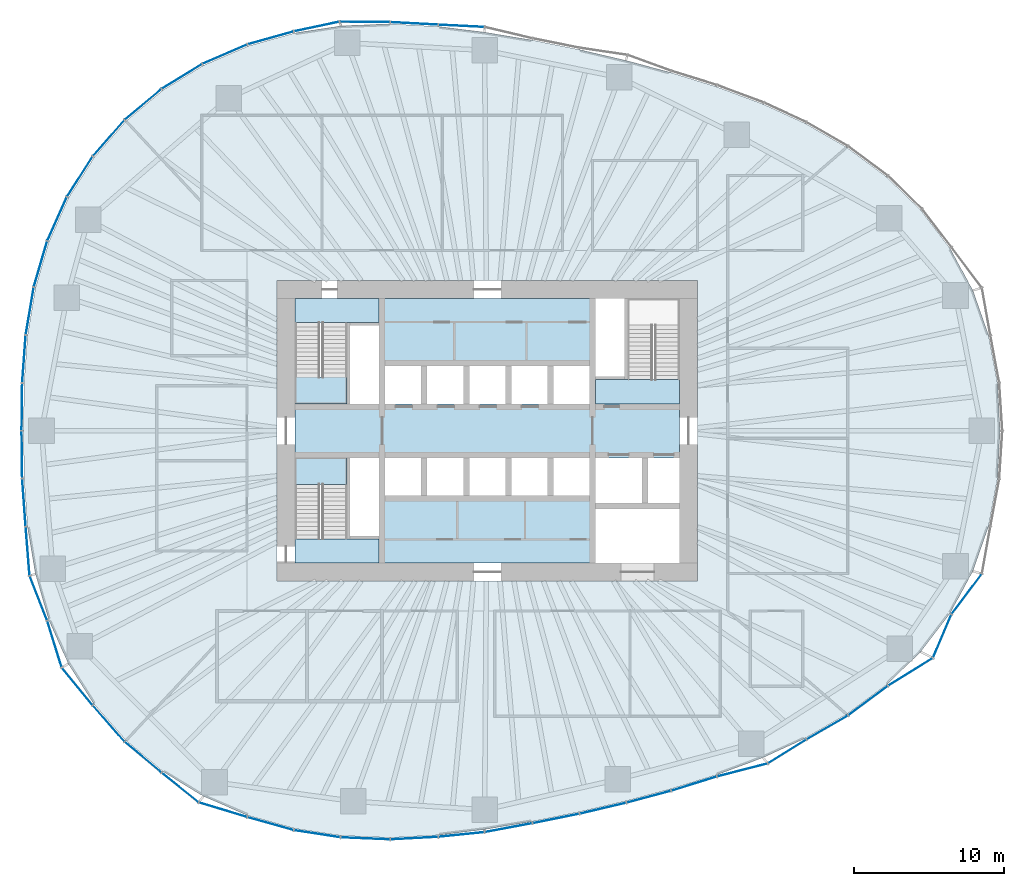
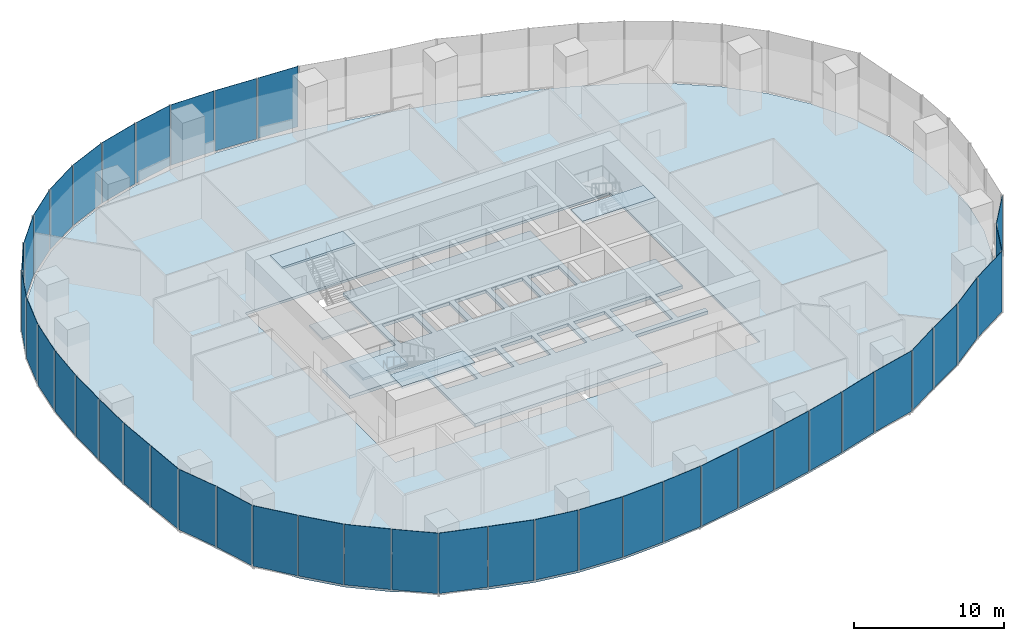
# One storey, part 8 of 20: 42 plates, 7 slabs, 17 elements without a shape of their own.
"""IFC4 building model written with IfcOpenShell, lengths in metres."""

from ifc_helpers import new_model, si_unit, direction, frame, origin, origin_2d, place, context, subcontext, project, spatial, polyline, rectangle, outline, extrude, material, layer, layer_set, type_object, element, aggregate, save


model = new_model("IFC4")

# Units and contexts
model_context = context("Model", 3, precision=1e-05, world=origin(), true_north=direction((0.0, 1.0)))
body_context = subcontext(model_context, "Body", "Model", "MODEL_VIEW")
ifc_project = project(units=[si_unit("LENGTHUNIT", "METRE"), si_unit("AREAUNIT", "SQUARE_METRE"), si_unit("VOLUMEUNIT", "CUBIC_METRE"), si_unit("PLANEANGLEUNIT", "RADIAN"), si_unit("MASSUNIT", "GRAM", prefix="KILO")], contexts=[model_context])

# Site, building, storey
site_placement = place(None, origin())
site = spatial("IfcSite", under=ifc_project, at=site_placement, CompositionType="ELEMENT")
building_placement = place(site_placement, origin())
building = spatial("IfcBuilding", under=site, at=building_placement, Name="Ghaith Harvest Tower", CompositionType="ELEMENT")
storey_placement = place(building_placement, frame((0.0, 0.0, 65.0)))
storey = spatial("IfcBuildingStorey", under=building, at=storey_placement, Name="L13", CompositionType="ELEMENT", Elevation=65.0)

# Curtain wall, plates
ifc_material_1 = material(Name="Black anodised aluminium and fritted glass", Category="aluminium")
curtain_wall_type = type_object("IfcCurtainWallType", Name="CW-F CURTAIN WALL", PredefinedType="NOTDEFINED", material=ifc_material_1)
curtain_wall_1_placement = place(storey_placement, origin())
curtain_wall_1 = element("IfcCurtainWall", 1, at=curtain_wall_1_placement, inside=storey, type_object=curtain_wall_type, Name="Curtain wall CW-F bay 06 L13", PredefinedType="NOTDEFINED")
ifc_material_2 = material(Name="Glass, high-transmission fritted double glazed unit", Category="glass")
ifc_layer_1 = layer(ifc_material_2, 0.028076171875)
ifc_layer_set_1 = layer_set([ifc_layer_1], Name="CW-F VISION PANEL")
plate_type = type_object("IfcPlateType", Name="CW-F VISION PANEL", PredefinedType="CURTAIN_PANEL", material=ifc_layer_set_1)
plate_1_placement = place(storey_placement, frame((-1.722900390625, 26.953369140625, 0.080078125), z_axis=(0.0, 0.0, 1.0), x_axis=(-0.998771443485, 0.049554048048, 0.0)))
plate_1 = element("IfcPlate", 2, at=plate_1_placement, type_object=plate_type, Name="CW-F panel 1 bay 06 L13", PredefinedType="CURTAIN_PANEL", context=body_context, shape_type="SweptSolid", body=[
    extrude(rectangle(XDim=3.001708984375, YDim=0.028076171875, at=origin_2d()), origin(), (0.0, 0.0, 1.0), 4.919921875),
])
plate_2_placement = place(storey_placement, frame((-4.863525390625, 27.11572265625, 0.080078125), z_axis=(0.0, 0.0, 1.0), x_axis=(-0.99856250263, 0.053599704667, 0.0)))
plate_2 = element("IfcPlate", 3, at=plate_2_placement, type_object=plate_type, Name="CW-F panel 2 bay 06 L13", PredefinedType="CURTAIN_PANEL", context=body_context, shape_type="SweptSolid", body=[
    extrude(rectangle(XDim=3.1279296875, YDim=0.028076171875, at=origin_2d()), origin(), (0.0, 0.0, 1.0), 4.919921875),
])
plate_3_placement = place(storey_placement, frame((-8.150390625, 27.217041015625, 0.080078125), z_axis=(0.0, 0.0, 1.0), x_axis=(-0.999959609481, 0.008987736446, 0.0)))
plate_3 = element("IfcPlate", 4, at=plate_3_placement, type_object=plate_type, Name="CW-F panel 3 bay 06 L13", PredefinedType="CURTAIN_PANEL", context=body_context, shape_type="SweptSolid", body=[
    extrude(rectangle(XDim=3.29052734375, YDim=0.028076171875, at=origin_2d()), origin(), (0.0, 0.0, 1.0), 4.919921875),
])
aggregate(curtain_wall_1, [plate_1, plate_2, plate_3])

curtain_wall_2_placement = place(storey_placement, origin())
curtain_wall_2 = element("IfcCurtainWall", 5, at=curtain_wall_2_placement, inside=storey, type_object=curtain_wall_type, Name="Curtain wall CW-F bay 07 L13", PredefinedType="NOTDEFINED")
plate_4_placement = place(storey_placement, frame((-11.358154296875, 26.908447265625, 0.080078125), z_axis=(0.0, 0.0, 1.0), x_axis=(-0.978149320779, -0.207903598476, 0.0)))
plate_4 = element("IfcPlate", 6, at=plate_4_placement, type_object=plate_type, Name="CW-F panel 1 bay 07 L13", PredefinedType="CURTAIN_PANEL", context=body_context, shape_type="SweptSolid", body=[
    extrude(rectangle(XDim=3.032958984375, YDim=0.028076171875, at=origin_2d()), origin(), (0.0, 0.0, 1.0), 4.919921875),
])
plate_5_placement = place(storey_placement, frame((-14.42578125, 26.150634765625, 0.080078125), z_axis=(0.0, 0.0, 1.0), x_axis=(-0.96272968243, -0.270465448012, 0.0)))
plate_5 = element("IfcPlate", 7, at=plate_5_placement, type_object=plate_type, Name="CW-F panel 2 bay 07 L13", PredefinedType="CURTAIN_PANEL", context=body_context, shape_type="SweptSolid", body=[
    extrude(rectangle(XDim=3.13037109375, YDim=0.028076171875, at=origin_2d()), origin(), (0.0, 0.0, 1.0), 4.919921875),
])
plate_6_placement = place(storey_placement, frame((-17.46923828125, 25.0693359375, 0.080078125), z_axis=(0.0, 0.0, 1.0), x_axis=(-0.918002845228, -0.396573796605, 0.0)))
plate_6 = element("IfcPlate", 8, at=plate_6_placement, type_object=plate_type, Name="CW-F panel 3 bay 07 L13", PredefinedType="CURTAIN_PANEL", context=body_context, shape_type="SweptSolid", body=[
    extrude(rectangle(XDim=3.18359375, YDim=0.028076171875, at=origin_2d()), origin(), (0.0, 0.0, 1.0), 4.919921875),
])
aggregate(curtain_wall_2, [plate_4, plate_5, plate_6])

curtain_wall_3_placement = place(storey_placement, origin())
curtain_wall_3 = element("IfcCurtainWall", 9, at=curtain_wall_3_placement, inside=storey, type_object=curtain_wall_type, Name="Curtain wall CW-F bay 08 L13", PredefinedType="NOTDEFINED")
plate_7_placement = place(storey_placement, frame((-20.324462890625, 23.590087890625, 0.080078125), z_axis=(0.0, 0.0, 1.0), x_axis=(-0.852527741552, -0.522681977769, 0.0)))
plate_7 = element("IfcPlate", 10, at=plate_7_placement, type_object=plate_type, Name="CW-F panel 1 bay 08 L13", PredefinedType="CURTAIN_PANEL", context=body_context, shape_type="SweptSolid", body=[
    extrude(rectangle(XDim=3.10400390625, YDim=0.028076171875, at=origin_2d()), origin(), (0.0, 0.0, 1.0), 4.919921875),
])
plate_8_placement = place(storey_placement, frame((-22.91064453125, 21.727294921875, 0.080078125), z_axis=(0.0, 0.0, 1.0), x_axis=(-0.766155215147, -0.642655573619, 0.0)))
plate_8 = element("IfcPlate", 11, at=plate_8_placement, type_object=plate_type, Name="CW-F panel 2 bay 08 L13", PredefinedType="CURTAIN_PANEL", context=body_context, shape_type="SweptSolid", body=[
    extrude(rectangle(XDim=3.1279296875, YDim=0.028076171875, at=origin_2d()), origin(), (0.0, 0.0, 1.0), 4.919921875),
])
plate_9_placement = place(storey_placement, frame((-25.201171875, 19.4853515625, 0.080078125), z_axis=(0.0, 0.0, 1.0), x_axis=(-0.659215937547, -0.751953687194, 0.0)))
plate_9 = element("IfcPlate", 12, at=plate_9_placement, type_object=plate_type, Name="CW-F panel 3 bay 08 L13", PredefinedType="CURTAIN_PANEL", context=body_context, shape_type="SweptSolid", body=[
    extrude(rectangle(XDim=3.1416015625, YDim=0.028076171875, at=origin_2d()), origin(), (0.0, 0.0, 1.0), 4.919921875),
])
aggregate(curtain_wall_3, [plate_7, plate_8, plate_9])

curtain_wall_4_placement = place(storey_placement, origin())
curtain_wall_4 = element("IfcCurtainWall", 13, at=curtain_wall_4_placement, inside=storey, type_object=curtain_wall_type, Name="Curtain wall CW-F bay 09 L13", PredefinedType="NOTDEFINED")
plate_10_placement = place(storey_placement, frame((-27.124755859375, 16.919677734375, 0.080078125), z_axis=(0.0, 0.0, 1.0), x_axis=(-0.536779195227, -0.843722759899, 0.0)))
plate_10 = element("IfcPlate", 14, at=plate_10_placement, type_object=plate_type, Name="CW-F panel 1 bay 09 L13", PredefinedType="CURTAIN_PANEL", context=body_context, shape_type="SweptSolid", body=[
    extrude(rectangle(XDim=3.13037109375, YDim=0.028076171875, at=origin_2d()), origin(), (0.0, 0.0, 1.0), 4.919921875),
])
plate_11_placement = place(storey_placement, frame((-28.639404296875, 14.100341796875, 0.080078125), z_axis=(0.0, 0.0, 1.0), x_axis=(-0.407134417018, -0.913368253488, 0.0)))
plate_11 = element("IfcPlate", 15, at=plate_11_placement, type_object=plate_type, Name="CW-F panel 2 bay 09 L13", PredefinedType="CURTAIN_PANEL", context=body_context, shape_type="SweptSolid", body=[
    extrude(rectangle(XDim=3.1279296875, YDim=0.028076171875, at=origin_2d()), origin(), (0.0, 0.0, 1.0), 4.919921875),
])
plate_12_placement = place(storey_placement, frame((-29.740478515625, 11.101318359375, 0.080078125), z_axis=(0.0, 0.0, 1.0), x_axis=(-0.280296918708, -0.959913348882, 0.0)))
plate_12 = element("IfcPlate", 16, at=plate_12_placement, type_object=plate_type, Name="CW-F panel 3 bay 09 L13", PredefinedType="CURTAIN_PANEL", context=body_context, shape_type="SweptSolid", body=[
    extrude(rectangle(XDim=3.1162109375, YDim=0.028076171875, at=origin_2d()), origin(), (0.0, 0.0, 1.0), 4.919921875),
])
aggregate(curtain_wall_4, [plate_10, plate_11, plate_12])

curtain_wall_5_placement = place(storey_placement, origin())
curtain_wall_5 = element("IfcCurtainWall", 17, at=curtain_wall_5_placement, inside=storey, type_object=curtain_wall_type, Name="Curtain wall CW-F bay 10 L13", PredefinedType="NOTDEFINED")
plate_13_placement = place(storey_placement, frame((-30.456298828125, 7.971435546875, 0.080078125), z_axis=(0.0, 0.0, 1.0), x_axis=(-0.165581316368, -0.986196140567, 0.0)))
plate_13 = element("IfcPlate", 18, at=plate_13_placement, type_object=plate_type, Name="CW-F panel 1 bay 10 L13", PredefinedType="CURTAIN_PANEL", context=body_context, shape_type="SweptSolid", body=[
    extrude(rectangle(XDim=3.156494140625, YDim=0.028076171875, at=origin_2d()), origin(), (0.0, 0.0, 1.0), 4.919921875),
])
plate_14_placement = place(storey_placement, frame((-30.84033203125, 4.77685546875, 0.080078125), z_axis=(0.0, 0.0, 1.0), x_axis=(-0.072420546123, -0.997374184797, 0.0)))
plate_14 = element("IfcPlate", 19, at=plate_14_placement, type_object=plate_type, Name="CW-F panel 2 bay 10 L13", PredefinedType="CURTAIN_PANEL", context=body_context, shape_type="SweptSolid", body=[
    extrude(rectangle(XDim=3.1259765625, YDim=0.028076171875, at=origin_2d()), origin(), (0.0, 0.0, 1.0), 4.919921875),
])
plate_15_placement = place(storey_placement, frame((-30.975830078125, 1.589111328125, 0.080078125), z_axis=(0.0, 0.0, 1.0), x_axis=(-0.012133206476, -0.999926389941, 0.0)))
plate_15 = element("IfcPlate", 20, at=plate_15_placement, type_object=plate_type, Name="CW-F panel 3 bay 10 L13", PredefinedType="CURTAIN_PANEL", context=body_context, shape_type="SweptSolid", body=[
    extrude(rectangle(XDim=3.09814453125, YDim=0.028076171875, at=origin_2d()), origin(), (0.0, 0.0, 1.0), 4.919921875),
])
aggregate(curtain_wall_5, [plate_13, plate_14, plate_15])

curtain_wall_6_placement = place(storey_placement, origin())
curtain_wall_6 = element("IfcCurtainWall", 21, at=curtain_wall_6_placement, inside=storey, type_object=curtain_wall_type, Name="Curtain wall CW-F bay 11 L13", PredefinedType="NOTDEFINED")
plate_16_placement = place(storey_placement, frame((-30.975830078125, -1.589111328125, 0.080078125), z_axis=(0.0, 0.0, 1.0), x_axis=(0.012133206773, -0.999926389937, 0.0)))
plate_16 = element("IfcPlate", 22, at=plate_16_placement, type_object=plate_type, Name="CW-F panel 1 bay 11 L13", PredefinedType="CURTAIN_PANEL", context=body_context, shape_type="SweptSolid", body=[
    extrude(rectangle(XDim=3.09814453125, YDim=0.028076171875, at=origin_2d()), origin(), (0.0, 0.0, 1.0), 4.919921875),
])
plate_17_placement = place(storey_placement, frame((-30.84033203125, -4.77685546875, 0.080078125), z_axis=(0.0, 0.0, 1.0), x_axis=(0.072420546349, -0.99737418478, 0.0)))
plate_17 = element("IfcPlate", 23, at=plate_17_placement, type_object=plate_type, Name="CW-F panel 2 bay 11 L13", PredefinedType="CURTAIN_PANEL", context=body_context, shape_type="SweptSolid", body=[
    extrude(rectangle(XDim=3.1259765625, YDim=0.028076171875, at=origin_2d()), origin(), (0.0, 0.0, 1.0), 4.919921875),
])
plate_18_placement = place(storey_placement, frame((-30.594482421875, -8.01513671875, 0.080078125), z_axis=(0.0, 0.0, 1.0), x_axis=(0.078867084181, -0.996885140341, 0.0)))
plate_18 = element("IfcPlate", 24, at=plate_18_placement, type_object=plate_type, Name="CW-F panel 3 bay 11 L13", PredefinedType="CURTAIN_PANEL", context=body_context, shape_type="SweptSolid", body=[
    extrude(rectangle(XDim=3.209716796875, YDim=0.028076171875, at=origin_2d()), origin(), (0.0, 0.0, 1.0), 4.919921875),
])
aggregate(curtain_wall_6, [plate_16, plate_17, plate_18])

curtain_wall_7_placement = place(storey_placement, origin())
curtain_wall_7 = element("IfcCurtainWall", 25, at=curtain_wall_7_placement, inside=storey, type_object=curtain_wall_type, Name="Curtain wall CW-F bay 12 L13", PredefinedType="NOTDEFINED")
plate_19_placement = place(storey_placement, frame((-29.878662109375, -11.14501953125, 0.080078125), z_axis=(0.0, 0.0, 1.0), x_axis=(0.366039738151, -0.930599220983, 0.0)))
plate_19 = element("IfcPlate", 26, at=plate_19_placement, type_object=plate_type, Name="CW-F panel 1 bay 12 L13", PredefinedType="CURTAIN_PANEL", context=body_context, shape_type="SweptSolid", body=[
    extrude(rectangle(XDim=3.122802734375, YDim=0.028076171875, at=origin_2d()), origin(), (0.0, 0.0, 1.0), 4.919921875),
])
plate_20_placement = place(storey_placement, frame((-28.809814453125, -14.195068359375, 0.080078125), z_axis=(0.0, 0.0, 1.0), x_axis=(0.295583054454, -0.95531704576, 0.0)))
plate_20 = element("IfcPlate", 27, at=plate_20_placement, type_object=plate_type, Name="CW-F panel 2 bay 12 L13", PredefinedType="CURTAIN_PANEL", context=body_context, shape_type="SweptSolid", body=[
    extrude(rectangle(XDim=3.185546875, YDim=0.028076171875, at=origin_2d()), origin(), (0.0, 0.0, 1.0), 4.919921875),
])
plate_21_placement = place(storey_placement, frame((-27.295166015625, -17.014404296875, 0.080078125), z_axis=(0.0, 0.0, 1.0), x_axis=(0.633789860881, -0.773505276158, 0.0)))
plate_21 = element("IfcPlate", 28, at=plate_21_placement, type_object=plate_type, Name="CW-F panel 3 bay 12 L13", PredefinedType="CURTAIN_PANEL", context=body_context, shape_type="SweptSolid", body=[
    extrude(rectangle(XDim=3.1767578125, YDim=0.028076171875, at=origin_2d()), origin(), (0.0, 0.0, 1.0), 4.919921875),
])
aggregate(curtain_wall_7, [plate_19, plate_20, plate_21])

curtain_wall_8_placement = place(storey_placement, origin())
curtain_wall_8 = element("IfcCurtainWall", 29, at=curtain_wall_8_placement, inside=storey, type_object=curtain_wall_type, Name="Curtain wall CW-F bay 13 L13", PredefinedType="NOTDEFINED")
plate_22_placement = place(storey_placement, frame((-25.201171875, -19.4853515625, 0.080078125), z_axis=(0.0, 0.0, 1.0), x_axis=(0.659215937337, -0.751953687378, 0.0)))
plate_22 = element("IfcPlate", 30, at=plate_22_placement, type_object=plate_type, Name="CW-F panel 1 bay 13 L13", PredefinedType="CURTAIN_PANEL", context=body_context, shape_type="SweptSolid", body=[
    extrude(rectangle(XDim=3.1416015625, YDim=0.028076171875, at=origin_2d()), origin(), (0.0, 0.0, 1.0), 4.919921875),
])
plate_23_placement = place(storey_placement, frame((-22.91064453125, -21.727294921875, 0.080078125), z_axis=(0.0, 0.0, 1.0), x_axis=(0.76615521545, -0.642655573258, 0.0)))
plate_23 = element("IfcPlate", 31, at=plate_23_placement, type_object=plate_type, Name="CW-F panel 2 bay 13 L13", PredefinedType="CURTAIN_PANEL", context=body_context, shape_type="SweptSolid", body=[
    extrude(rectangle(XDim=3.1279296875, YDim=0.028076171875, at=origin_2d()), origin(), (0.0, 0.0, 1.0), 4.919921875),
])
plate_24_placement = place(storey_placement, frame((-20.447265625, -23.748046875, 0.080078125), z_axis=(0.0, 0.0, 1.0), x_axis=(0.780122054158, -0.625627349639, 0.0)))
plate_24 = element("IfcPlate", 32, at=plate_24_placement, type_object=plate_type, Name="CW-F panel 3 bay 13 L13", PredefinedType="CURTAIN_PANEL", context=body_context, shape_type="SweptSolid", body=[
    extrude(rectangle(XDim=3.085205078125, YDim=0.028076171875, at=origin_2d()), origin(), (0.0, 0.0, 1.0), 4.919921875),
])
aggregate(curtain_wall_8, [plate_22, plate_23, plate_24])

curtain_wall_9_placement = place(storey_placement, origin())
curtain_wall_9 = element("IfcCurtainWall", 33, at=curtain_wall_9_placement, inside=storey, type_object=curtain_wall_type, Name="Curtain wall CW-F bay 14 L13", PredefinedType="NOTDEFINED")
plate_25_placement = place(storey_placement, frame((-17.591796875, -25.227294921875, 0.080078125), z_axis=(0.0, 0.0, 1.0), x_axis=(0.95734234218, -0.288956121011, 0.0)))
plate_25 = element("IfcPlate", 34, at=plate_25_placement, type_object=plate_type, Name="CW-F panel 1 bay 14 L13", PredefinedType="CURTAIN_PANEL", context=body_context, shape_type="SweptSolid", body=[
    extrude(rectangle(XDim=3.3056640625, YDim=0.028076171875, at=origin_2d()), origin(), (0.0, 0.0, 1.0), 4.919921875),
])
plate_26_placement = place(storey_placement, frame((-14.42578125, -26.150634765625, 0.080078125), z_axis=(0.0, 0.0, 1.0), x_axis=(0.962729682704, -0.270465447038, 0.0)))
plate_26 = element("IfcPlate", 35, at=plate_26_placement, type_object=plate_type, Name="CW-F panel 2 bay 14 L13", PredefinedType="CURTAIN_PANEL", context=body_context, shape_type="SweptSolid", body=[
    extrude(rectangle(XDim=3.13037109375, YDim=0.028076171875, at=origin_2d()), origin(), (0.0, 0.0, 1.0), 4.919921875),
])
plate_27_placement = place(storey_placement, frame((-11.327392578125, -26.82373046875, 0.080078125), z_axis=(0.0, 0.0, 1.0), x_axis=(0.98836987371, -0.152069039392, 0.0)))
plate_27 = element("IfcPlate", 36, at=plate_27_placement, type_object=plate_type, Name="CW-F panel 3 bay 14 L13", PredefinedType="CURTAIN_PANEL", context=body_context, shape_type="SweptSolid", body=[
    extrude(rectangle(XDim=3.0625, YDim=0.028076171875, at=origin_2d()), origin(), (0.0, 0.0, 1.0), 4.919921875),
])
aggregate(curtain_wall_9, [plate_25, plate_26, plate_27])

curtain_wall_10_placement = place(storey_placement, origin())
curtain_wall_10 = element("IfcCurtainWall", 37, at=curtain_wall_10_placement, inside=storey, type_object=curtain_wall_type, Name="Curtain wall CW-F bay 15 L13", PredefinedType="NOTDEFINED")
plate_28_placement = place(storey_placement, frame((-8.119873046875, -27.13232421875, 0.080078125), z_axis=(0.0, 0.0, 1.0), x_axis=(0.999118988518, -0.041967210794, 0.0)))
plate_28 = element("IfcPlate", 38, at=plate_28_placement, type_object=plate_type, Name="CW-F panel 1 bay 15 L13", PredefinedType="CURTAIN_PANEL", context=body_context, shape_type="SweptSolid", body=[
    extrude(rectangle(XDim=3.232177734375, YDim=0.028076171875, at=origin_2d()), origin(), (0.0, 0.0, 1.0), 4.919921875),
])
plate_29_placement = place(storey_placement, frame((-4.863525390625, -27.11572265625, 0.080078125), z_axis=(0.0, 0.0, 1.0), x_axis=(0.998562502616, 0.053599704928, 0.0)))
plate_29 = element("IfcPlate", 39, at=plate_29_placement, type_object=plate_type, Name="CW-F panel 2 bay 15 L13", PredefinedType="CURTAIN_PANEL", context=body_context, shape_type="SweptSolid", body=[
    extrude(rectangle(XDim=3.1279296875, YDim=0.028076171875, at=origin_2d()), origin(), (0.0, 0.0, 1.0), 4.919921875),
])
plate_30_placement = place(storey_placement, frame((-1.722412109375, -26.87353515625, 0.080078125), z_axis=(0.0, 0.0, 1.0), x_axis=(0.99488222177, 0.101041401443, 0.0)))
plate_30 = element("IfcPlate", 40, at=plate_30_placement, type_object=plate_type, Name="CW-F panel 3 bay 15 L13", PredefinedType="CURTAIN_PANEL", context=body_context, shape_type="SweptSolid", body=[
    extrude(rectangle(XDim=3.014892578125, YDim=0.028076171875, at=origin_2d()), origin(), (0.0, 0.0, 1.0), 4.919921875),
])
aggregate(curtain_wall_10, [plate_28, plate_29, plate_30])

curtain_wall_11_placement = place(storey_placement, origin())
curtain_wall_11 = element("IfcCurtainWall", 41, at=curtain_wall_11_placement, inside=storey, type_object=curtain_wall_type, Name="Curtain wall CW-F bay 16 L13", PredefinedType="NOTDEFINED")
plate_31_placement = place(storey_placement, frame((1.4130859375, -26.420166015625, 0.080078125), z_axis=(0.0, 0.0, 1.0), x_axis=(0.983131230266, 0.182901569365, 0.0)))
plate_31 = element("IfcPlate", 42, at=plate_31_placement, type_object=plate_type, Name="CW-F panel 1 bay 16 L13", PredefinedType="CURTAIN_PANEL", context=body_context, shape_type="SweptSolid", body=[
    extrude(rectangle(XDim=3.166748046875, YDim=0.028076171875, at=origin_2d()), origin(), (0.0, 0.0, 1.0), 4.919921875),
])
plate_32_placement = place(storey_placement, frame((4.5732421875, -25.809326171875, 0.080078125), z_axis=(0.0, 0.0, 1.0), x_axis=(0.98043234808, 0.196856320293, 0.0)))
plate_32 = element("IfcPlate", 43, at=plate_32_placement, type_object=plate_type, Name="CW-F panel 2 bay 16 L13", PredefinedType="CURTAIN_PANEL", context=body_context, shape_type="SweptSolid", body=[
    extrude(rectangle(XDim=3.1103515625, YDim=0.028076171875, at=origin_2d()), origin(), (0.0, 0.0, 1.0), 4.919921875),
])
plate_33_placement = place(storey_placement, frame((7.697265625, -25.129150390625, 0.080078125), z_axis=(0.0, 0.0, 1.0), x_axis=(0.973564757908, 0.228411169079, 0.0)))
plate_33 = element("IfcPlate", 44, at=plate_33_placement, type_object=plate_type, Name="CW-F panel 3 bay 16 L13", PredefinedType="CURTAIN_PANEL", context=body_context, shape_type="SweptSolid", body=[
    extrude(rectangle(XDim=3.125, YDim=0.028076171875, at=origin_2d()), origin(), (0.0, 0.0, 1.0), 4.919921875),
])
aggregate(curtain_wall_11, [plate_31, plate_32, plate_33])

curtain_wall_12_placement = place(storey_placement, origin())
curtain_wall_12 = element("IfcCurtainWall", 45, at=curtain_wall_12_placement, inside=storey, type_object=curtain_wall_type, Name="Curtain wall CW-F bay 17 L13", PredefinedType="NOTDEFINED")
plate_34_placement = place(storey_placement, frame((10.745849609375, -24.36376953125, 0.080078125), z_axis=(0.0, 0.0, 1.0), x_axis=(0.965848435029, 0.259107700681, 0.0)))
plate_34 = element("IfcPlate", 46, at=plate_34_placement, type_object=plate_type, Name="CW-F panel 1 bay 17 L13", PredefinedType="CURTAIN_PANEL", context=body_context, shape_type="SweptSolid", body=[
    extrude(rectangle(XDim=3.002197265625, YDim=0.028076171875, at=origin_2d()), origin(), (0.0, 0.0, 1.0), 4.919921875),
])
plate_35_placement = place(storey_placement, frame((13.760986328125, -23.490234375, 0.080078125), z_axis=(0.0, 0.0, 1.0), x_axis=(0.954988265447, 0.296643578827, 0.0)))
plate_35 = element("IfcPlate", 47, at=plate_35_placement, type_object=plate_type, Name="CW-F panel 2 bay 17 L13", PredefinedType="CURTAIN_PANEL", context=body_context, shape_type="SweptSolid", body=[
    extrude(rectangle(XDim=3.1171875, YDim=0.028076171875, at=origin_2d()), origin(), (0.0, 0.0, 1.0), 4.919921875),
])
plate_36_placement = place(storey_placement, frame((16.980712890625, -22.580322265625, 0.080078125), z_axis=(0.0, 0.0, 1.0), x_axis=(0.968451429434, 0.249202385275, 0.0)))
plate_36 = element("IfcPlate", 48, at=plate_36_placement, type_object=plate_type, Name="CW-F panel 3 bay 17 L13", PredefinedType="CURTAIN_PANEL", context=body_context, shape_type="SweptSolid", body=[
    extrude(rectangle(XDim=3.416748046875, YDim=0.028076171875, at=origin_2d()), origin(), (0.0, 0.0, 1.0), 4.919921875),
])
aggregate(curtain_wall_12, [plate_34, plate_35, plate_36])

curtain_wall_13_placement = place(storey_placement, origin())
curtain_wall_13 = element("IfcCurtainWall", 49, at=curtain_wall_13_placement, inside=storey, type_object=curtain_wall_type, Name="Curtain wall CW-F bay 18 L13", PredefinedType="NOTDEFINED")
plate_37_placement = place(storey_placement, frame((19.954833984375, -21.348876953125, 0.080078125), z_axis=(0.0, 0.0, 1.0), x_axis=(0.849360700005, 0.527812846837, 0.0)))
plate_37 = element("IfcPlate", 50, at=plate_37_placement, type_object=plate_type, Name="CW-F panel 1 bay 18 L13", PredefinedType="CURTAIN_PANEL", context=body_context, shape_type="SweptSolid", body=[
    extrude(rectangle(XDim=2.935791015625, YDim=0.028076171875, at=origin_2d()), origin(), (0.0, 0.0, 1.0), 4.919921875),
])
plate_38_placement = place(storey_placement, frame((22.626953125, -19.750244140625, 0.080078125), z_axis=(0.0, 0.0, 1.0), x_axis=(0.866159208454, 0.499768171866, 0.0)))
plate_38 = element("IfcPlate", 51, at=plate_38_placement, type_object=plate_type, Name="CW-F panel 2 bay 18 L13", PredefinedType="CURTAIN_PANEL", context=body_context, shape_type="SweptSolid", body=[
    extrude(rectangle(XDim=3.1328125, YDim=0.028076171875, at=origin_2d()), origin(), (0.0, 0.0, 1.0), 4.919921875),
])
plate_39_placement = place(storey_placement, frame((25.34619140625, -17.96142578125, 0.080078125), z_axis=(0.0, 0.0, 1.0), x_axis=(0.802866788713, 0.596158468515, 0.0)))
plate_39 = element("IfcPlate", 52, at=plate_39_placement, type_object=plate_type, Name="CW-F panel 3 bay 18 L13", PredefinedType="CURTAIN_PANEL", context=body_context, shape_type="SweptSolid", body=[
    extrude(rectangle(XDim=3.2275390625, YDim=0.028076171875, at=origin_2d()), origin(), (0.0, 0.0, 1.0), 4.919921875),
])
aggregate(curtain_wall_13, [plate_37, plate_38, plate_39])

curtain_wall_14_placement = place(storey_placement, origin())
curtain_wall_14 = element("IfcCurtainWall", 53, at=curtain_wall_14_placement, inside=storey, type_object=curtain_wall_type, Name="Curtain wall CW-F bay 19 L13", PredefinedType="NOTDEFINED")
plate_40_placement = place(storey_placement, frame((28.166748046875, -16.05126953125, 0.080078125), z_axis=(0.0, 0.0, 1.0), x_axis=(0.850245604669, 0.526386181184, 0.0)))
plate_40 = element("IfcPlate", 54, at=plate_40_placement, type_object=plate_type, Name="CW-F panel 1 bay 19 L13", PredefinedType="CURTAIN_PANEL", context=body_context, shape_type="SweptSolid", body=[
    extrude(rectangle(XDim=3.431884765625, YDim=0.028076171875, at=origin_2d()), origin(), (0.0, 0.0, 1.0), 4.919921875),
])
plate_41_placement = place(storey_placement, frame((30.2783203125, -13.6708984375, 0.080078125), z_axis=(0.0, 0.0, 1.0), x_axis=(0.390980294296, 0.920399049039, 0.0)))
plate_41 = element("IfcPlate", 55, at=plate_41_placement, type_object=plate_type, Name="CW-F panel 2 bay 19 L13", PredefinedType="CURTAIN_PANEL", context=body_context, shape_type="SweptSolid", body=[
    extrude(rectangle(XDim=3.083740234375, YDim=0.028076171875, at=origin_2d()), origin(), (0.0, 0.0, 1.0), 4.919921875),
])
plate_42_placement = place(storey_placement, frame((31.91015625, -10.865234375, 0.080078125), z_axis=(0.0, 0.0, 1.0), x_axis=(0.600454091429, 0.799659229976, 0.0)))
plate_42 = element("IfcPlate", 56, at=plate_42_placement, type_object=plate_type, Name="CW-F panel 3 bay 19 L13", PredefinedType="CURTAIN_PANEL", context=body_context, shape_type="SweptSolid", body=[
    extrude(rectangle(XDim=3.295654296875, YDim=0.028076171875, at=origin_2d()), origin(), (0.0, 0.0, 1.0), 4.919921875),
])
aggregate(curtain_wall_14, [plate_40, plate_41, plate_42])

# Slabs
ifc_material_3 = material(Name="Concrete C40/50", Category="concrete")
ifc_layer_2 = layer(ifc_material_3, 0.199951171875)
ifc_layer_set_2 = layer_set([ifc_layer_2], Name="FLOOR SLAB 200")
slab_type_1 = type_object("IfcSlabType", Name="FLOOR SLAB 200", PredefinedType="FLOOR", material=ifc_layer_set_2)
slab_1_placement = place(storey_placement, frame((0.0, 0.0, -0.199951171875)))
element("IfcSlab", 57, at=slab_1_placement, inside=storey, type_object=slab_type_1, Name="Floor slab L13", PredefinedType="FLOOR", context=body_context, shape_type="SweptSolid", body=[
    extrude(outline(polyline([(34.125, 0.0), (33.95849609375, 3.194091796875), (33.37158203125, 6.333984375), (32.318359375, 9.3408203125), (30.78515625, 12.1708984375), (28.840087890625, 14.708984375), (26.572509765625, 16.9111328125), (23.92431640625, 18.873046875), (21.149169921875, 20.469482421875), (18.34521484375, 21.7548828125), (15.22119140625, 22.916259765625), (12.1796875, 23.857666015625), (9.21533203125, 24.65087890625), (6.10888671875, 25.378662109375), (2.99560546875, 26.004150390625), (-0.181396484375, 26.527099609375), (-3.24755859375, 26.91064453125), (-6.4375, 27.0849609375), (-9.733642578125, 26.949951171875), (-12.828125, 26.476806640625), (-15.907958984375, 25.614501953125), (-18.8935546875, 24.32763671875), (-21.59912109375, 22.671142578125), (-24.04833984375, 20.618408203125), (-26.16455078125, 18.20556640625), (-27.881591796875, 15.507080078125), (-29.182373046875, 12.587890625), (-30.073974609375, 9.531005859375), (-30.606689453125, 6.35107421875), (-30.837158203125, 3.165771484375), (-30.875, 0.0), (-30.837158203125, -3.165771484375), (-30.606689453125, -6.35107421875), (-30.073974609375, -9.531005859375), (-29.182373046875, -12.587890625), (-27.881591796875, -15.507080078125), (-26.16455078125, -18.20556640625), (-24.04833984375, -20.618408203125), (-21.59912109375, -22.671142578125), (-18.8935546875, -24.32763671875), (-15.907958984375, -25.614501953125), (-12.828125, -26.476806640625), (-9.733642578125, -26.949951171875), (-6.4375, -27.0849609375), (-3.24755859375, -26.91064453125), (-0.181396484375, -26.527099609375), (2.99560546875, -26.004150390625), (6.10888671875, -25.378662109375), (9.21533203125, -24.65087890625), (12.1796875, -23.857666015625), (15.22119140625, -22.916259765625), (18.34521484375, -21.7548828125), (21.149169921875, -20.469482421875), (23.92431640625, -18.873046875), (26.572509765625, -16.9111328125), (28.840087890625, -14.708984375), (30.78515625, -12.1708984375), (32.318359375, -9.3408203125), (33.37158203125, -6.333984375), (33.95849609375, -3.194091796875), (34.125, 0.0)]), holes=[polyline([(-14.0, -10.0), (14.0, -10.0), (14.0, 10.0), (-14.0, 10.0), (-14.0, -10.0)])]), origin(), (0.0, 0.0, 1.0), 0.199951171875),
])
ifc_material_4 = material(Name="Concrete C40/50", Category="concrete")
ifc_layer_3 = layer(ifc_material_4, 0.25)
ifc_layer_set_3 = layer_set([ifc_layer_3], Name="FLOOR SLAB 250")
slab_type_2 = type_object("IfcSlabType", Name="FLOOR SLAB 250", PredefinedType="FLOOR", material=ifc_layer_set_3)
slab_2_placement = place(storey_placement, frame((0.0, 0.0, -0.25)))
element("IfcSlab", 58, at=slab_2_placement, inside=storey, type_object=slab_type_2, Name="Core slab L13", PredefinedType="FLOOR", context=body_context, shape_type="SweptSolid", body=[
    extrude(outline(polyline([(-12.800048828125, 1.800048828125), (-7.199951171875, 1.800048828125), (-7.199951171875, 8.800048828125), (7.199951171875, 8.800048828125), (7.199951171875, 1.800048828125), (12.800048828125, 1.800048828125), (12.800048828125, -1.800048828125), (10.699951171875, -1.800048828125), (10.699951171875, -4.800048828125), (12.800048828125, -4.800048828125), (12.800048828125, -5.199951171875), (7.199951171875, -5.199951171875), (7.199951171875, -8.800048828125), (-7.199951171875, -8.800048828125), (-7.199951171875, -1.800048828125), (-12.800048828125, -1.800048828125), (-12.800048828125, 1.800048828125)]), holes=[polyline([(-4.39990234375, -4.300048828125), (-4.39990234375, -1.800048828125), (-6.800048828125, -1.800048828125), (-6.800048828125, -4.300048828125), (-4.39990234375, -4.300048828125)]), polyline([(-1.60009765625, -4.300048828125), (-1.60009765625, -1.800048828125), (-4.0, -1.800048828125), (-4.0, -4.300048828125), (-1.60009765625, -4.300048828125)]), polyline([(1.199951171875, -4.300048828125), (1.199951171875, -1.800048828125), (-1.199951171875, -1.800048828125), (-1.199951171875, -4.300048828125), (1.199951171875, -4.300048828125)]), polyline([(-4.39990234375, 1.800048828125), (-4.39990234375, 4.300048828125), (-6.800048828125, 4.300048828125), (-6.800048828125, 1.800048828125), (-4.39990234375, 1.800048828125)]), polyline([(-1.60009765625, 1.800048828125), (-1.60009765625, 4.300048828125), (-4.0, 4.300048828125), (-4.0, 1.800048828125), (-1.60009765625, 1.800048828125)]), polyline([(1.199951171875, 1.800048828125), (1.199951171875, 4.300048828125), (-1.199951171875, 4.300048828125), (-1.199951171875, 1.800048828125), (1.199951171875, 1.800048828125)]), polyline([(10.300048828125, -4.800048828125), (10.300048828125, -1.800048828125), (7.199951171875, -1.800048828125), (7.199951171875, -4.800048828125), (10.300048828125, -4.800048828125)]), polyline([(4.0, -4.300048828125), (4.0, -1.800048828125), (1.60009765625, -1.800048828125), (1.60009765625, -4.300048828125), (4.0, -4.300048828125)]), polyline([(6.800048828125, -4.300048828125), (6.800048828125, -1.800048828125), (4.39990234375, -1.800048828125), (4.39990234375, -4.300048828125), (6.800048828125, -4.300048828125)]), polyline([(4.0, 1.800048828125), (4.0, 4.300048828125), (1.60009765625, 4.300048828125), (1.60009765625, 1.800048828125), (4.0, 1.800048828125)]), polyline([(6.800048828125, 1.800048828125), (6.800048828125, 4.300048828125), (4.39990234375, 4.300048828125), (4.39990234375, 1.800048828125), (6.800048828125, 1.800048828125)])]), origin(), (0.0, 0.0, 1.0), 0.25),
])

# Stair, slabs
ifc_material_5 = material(Name="Concrete C40/50, precast", Category="concrete")
stair_type = type_object("IfcStairType", Name="CORE STAIR 28R", PredefinedType="HALF_TURN_STAIR", material=ifc_material_5)
stair_1_placement = place(storey_placement, origin())
stair_1 = element("IfcStair", 59, at=stair_1_placement, inside=storey, type_object=stair_type, Name="Stair ST1 L13", PredefinedType="HALF_TURN_STAIR")
ifc_material_6 = material(Name="Concrete C40/50, precast", Category="concrete")
ifc_layer_4 = layer(ifc_material_6, 0.179931640625)
ifc_layer_set_4 = layer_set([ifc_layer_4], Name="STAIR LANDING 180")
slab_type_3 = type_object("IfcSlabType", Name="STAIR LANDING 180", PredefinedType="LANDING", material=ifc_layer_set_4)
slab_3_placement = place(storey_placement, frame((0.0, 0.0, 2.320068359375)))
slab_3 = element("IfcSlab", 60, at=slab_3_placement, type_object=slab_type_3, Name="ST1 landing 1", PredefinedType="LANDING", context=body_context, shape_type="SweptSolid", body=[
    extrude(outline(polyline([(-12.800048828125, 3.580078125), (-12.800048828125, 1.800048828125), (-9.35009765625, 1.800048828125), (-9.35009765625, 3.580078125), (-12.800048828125, 3.580078125)])), origin(), (0.0, 0.0, 1.0), 0.179931640625),
])
slab_4_placement = place(storey_placement, frame((0.0, 0.0, 4.820068359375)))
slab_4 = element("IfcSlab", 61, at=slab_4_placement, type_object=slab_type_3, Name="ST1 landing 2", PredefinedType="LANDING", context=body_context, shape_type="SweptSolid", body=[
    extrude(outline(polyline([(-12.800048828125, 8.800048828125), (-12.800048828125, 7.199951171875), (-7.199951171875, 7.199951171875), (-7.199951171875, 8.800048828125), (-12.800048828125, 8.800048828125)])), origin(), (0.0, 0.0, 1.0), 0.179931640625),
])
aggregate(stair_1, [slab_3, slab_4])

stair_2_placement = place(storey_placement, origin())
stair_2 = element("IfcStair", 62, at=stair_2_placement, inside=storey, type_object=stair_type, Name="Stair ST3 L13", PredefinedType="HALF_TURN_STAIR")
slab_5_placement = place(storey_placement, frame((0.0, 0.0, 2.320068359375)))
slab_5 = element("IfcSlab", 63, at=slab_5_placement, type_object=slab_type_3, Name="ST3 landing 1", PredefinedType="LANDING", context=body_context, shape_type="SweptSolid", body=[
    extrude(outline(polyline([(-12.800048828125, -3.580078125), (-12.800048828125, -1.800048828125), (-9.35009765625, -1.800048828125), (-9.35009765625, -3.580078125), (-12.800048828125, -3.580078125)])), origin(), (0.0, 0.0, 1.0), 0.179931640625),
])
slab_6_placement = place(storey_placement, frame((0.0, 0.0, 4.820068359375)))
slab_6 = element("IfcSlab", 64, at=slab_6_placement, type_object=slab_type_3, Name="ST3 landing 2", PredefinedType="LANDING", context=body_context, shape_type="SweptSolid", body=[
    extrude(outline(polyline([(-12.800048828125, -8.800048828125), (-12.800048828125, -7.199951171875), (-7.199951171875, -7.199951171875), (-7.199951171875, -8.800048828125), (-12.800048828125, -8.800048828125)])), origin(), (0.0, 0.0, 1.0), 0.179931640625),
])
aggregate(stair_2, [slab_5, slab_6])

# Stair, slab
stair_3_placement = place(storey_placement, origin())
stair_3 = element("IfcStair", 65, at=stair_3_placement, inside=storey, type_object=stair_type, Name="Stair ST2 L13", PredefinedType="HALF_TURN_STAIR")
slab_7_placement = place(storey_placement, frame((0.0, 0.0, 4.820068359375)))
slab_7 = element("IfcSlab", 66, at=slab_7_placement, type_object=slab_type_3, Name="ST2 landing 2", PredefinedType="LANDING", context=body_context, shape_type="SweptSolid", body=[
    extrude(outline(polyline([(12.800048828125, 1.800048828125), (12.800048828125, 3.39990234375), (7.199951171875, 3.39990234375), (7.199951171875, 1.800048828125), (12.800048828125, 1.800048828125)])), origin(), (0.0, 0.0, 1.0), 0.179931640625),
])
aggregate(stair_3, [slab_7])

save(model, "model.ifc")
